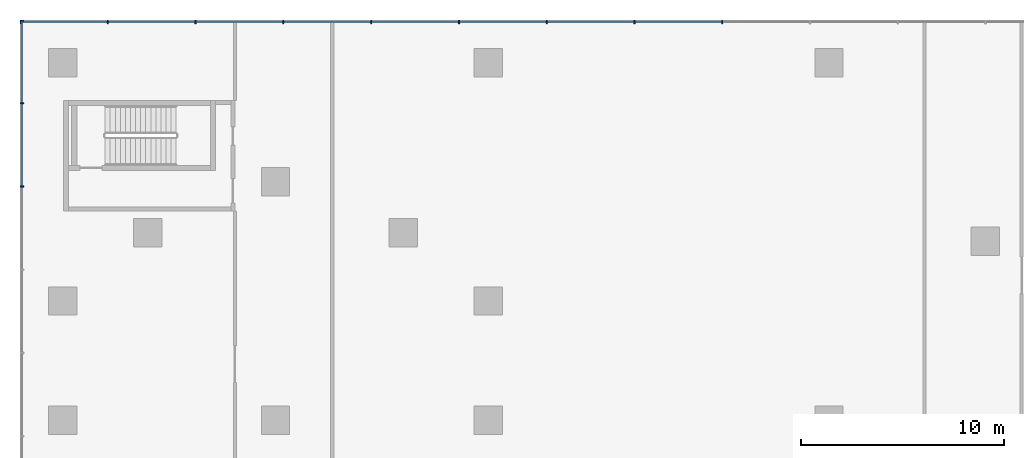
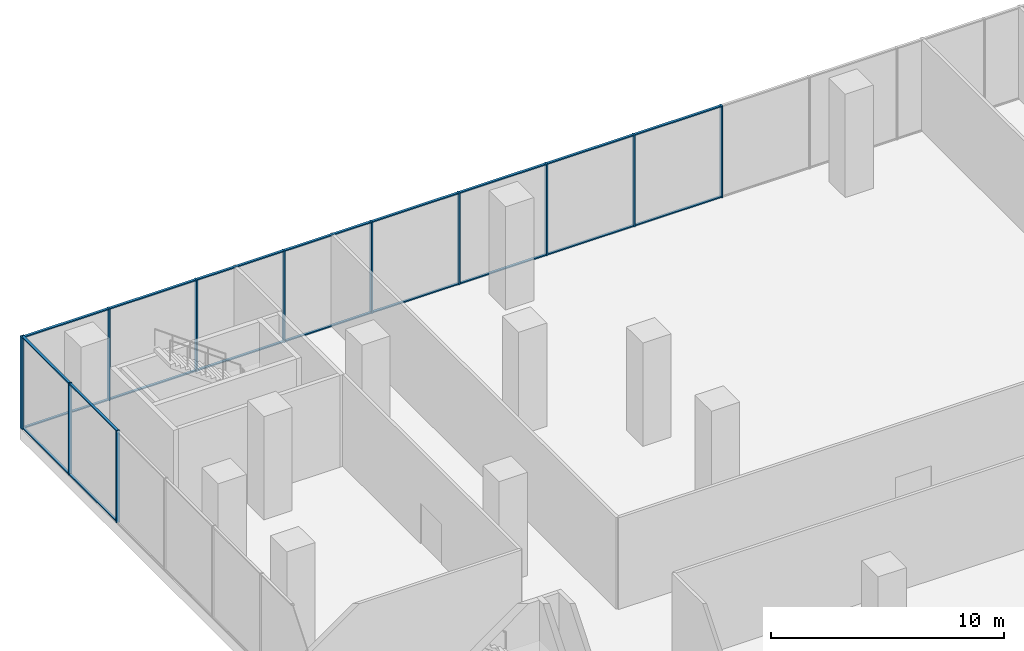
# One storey, part 10 of 23: 32 members, 2 elements without a shape of their own.
"""IFC4 building model written with IfcOpenShell, lengths in metres."""

from ifc_helpers import new_model, si_unit, direction, frame, origin, origin_2d, place, context, subcontext, project, spatial, rectangle, extrude, source, transform, mapped, material, layer, layer_set, material_profile, profile_set, type_object, element, aggregate, save


model = new_model("IFC4")

# Units and contexts
model_context = context("Model", 3, precision=1e-05, world=origin(), true_north=direction((0.0, 1.0)))
body_context = subcontext(model_context, "Body", "Model", "MODEL_VIEW")
ifc_project = project(units=[si_unit("LENGTHUNIT", "METRE"), si_unit("AREAUNIT", "SQUARE_METRE"), si_unit("VOLUMEUNIT", "CUBIC_METRE"), si_unit("PLANEANGLEUNIT", "RADIAN"), si_unit("MASSUNIT", "GRAM", prefix="KILO")], contexts=[model_context])

# Site, building, storey
site_placement = place(None, origin())
site = spatial("IfcSite", under=ifc_project, at=site_placement, CompositionType="ELEMENT")
building_placement = place(site_placement, origin())
building = spatial("IfcBuilding", under=site, at=building_placement, Name="Aurelian Terraces", CompositionType="ELEMENT")
storey_placement = place(building_placement, frame((0.0, 0.0, 23.7)))
storey = spatial("IfcBuildingStorey", under=building, at=storey_placement, Name="L04", CompositionType="ELEMENT", Elevation=23.7)

# Curtain wall, members
ifc_material_1 = material(Name="Anodised aluminium and clear glazing", Category="aluminium")
ifc_layer = layer(ifc_material_1, 0.2)
ifc_layer_set = layer_set([ifc_layer], Name="Winter garden glazing curtain wall")
curtain_wall_type = type_object("IfcCurtainWallType", Name="Winter garden glazing curtain wall", PredefinedType="NOTDEFINED", material=ifc_layer_set)
curtain_wall_1_placement = place(storey_placement, origin())
curtain_wall_1 = element("IfcCurtainWall", 1, at=curtain_wall_1_placement, inside=storey, type_object=curtain_wall_type, Name="Winter garden glazing L04 F05.1", PredefinedType="NOTDEFINED")
ifc_material_2 = material(Name="Anodised aluminium", Category="aluminium")
ifc_material_profile_1 = material_profile(ifc_material_2, rectangle(XDim=0.18, YDim=0.06, at=origin_2d()))
ifc_profile_set_1 = profile_set([ifc_material_profile_1], Name="Anodised aluminium")
member_type_1 = type_object("IfcMemberType", Name="Winter garden glazing mullion", PredefinedType="MULLION", material=ifc_profile_set_1)
shared_shape_1 = source(origin(), body_context, "Body", "SweptSolid", [
    extrude(rectangle(XDim=0.18, YDim=0.06, at=origin_2d()), origin(), (0.0, 0.0, 1.0), 4.8),
])
member_1_placement = place(storey_placement, frame((32.5338, 71.72, 0.0), z_axis=(0.0, 0.0, 1.0), x_axis=(0.0, -1.0, 0.0)))
member_1 = element("IfcMember", 2, at=member_1_placement, type_object=member_type_1, Name="CW6 mullion 6", PredefinedType="MULLION", context=body_context, shape_type="MappedRepresentation", body=[
    mapped(shared_shape_1, transform((0.0, 0.0, 0.0), scale=1.0)),
])
member_2_placement = place(storey_placement, frame((28.2046, 71.72, 0.0), z_axis=(0.0, 0.0, 1.0), x_axis=(0.0, -1.0, 0.0)))
member_2 = element("IfcMember", 3, at=member_2_placement, type_object=member_type_1, Name="CW6 mullion 7", PredefinedType="MULLION", context=body_context, shape_type="MappedRepresentation", body=[
    mapped(shared_shape_1, transform((0.0, 0.0, 0.0), scale=1.0)),
])
member_3_placement = place(storey_placement, frame((23.8754, 71.72, 0.0), z_axis=(0.0, 0.0, 1.0), x_axis=(0.0, -1.0, 0.0)))
member_3 = element("IfcMember", 4, at=member_3_placement, type_object=member_type_1, Name="CW6 mullion 8", PredefinedType="MULLION", context=body_context, shape_type="MappedRepresentation", body=[
    mapped(shared_shape_1, transform((0.0, 0.0, 0.0), scale=1.0)),
])
member_4_placement = place(storey_placement, frame((19.5462, 71.72, 0.0), z_axis=(0.0, 0.0, 1.0), x_axis=(0.0, -1.0, 0.0)))
member_4 = element("IfcMember", 5, at=member_4_placement, type_object=member_type_1, Name="CW6 mullion 9", PredefinedType="MULLION", context=body_context, shape_type="MappedRepresentation", body=[
    mapped(shared_shape_1, transform((0.0, 0.0, 0.0), scale=1.0)),
])
member_5_placement = place(storey_placement, frame((15.2169, 71.72, 0.0), z_axis=(0.0, 0.0, 1.0), x_axis=(0.0, -1.0, 0.0)))
member_5 = element("IfcMember", 6, at=member_5_placement, type_object=member_type_1, Name="CW6 mullion 10", PredefinedType="MULLION", context=body_context, shape_type="MappedRepresentation", body=[
    mapped(shared_shape_1, transform((0.0, 0.0, 0.0), scale=1.0)),
])
member_6_placement = place(storey_placement, frame((10.8877, 71.72, 0.0), z_axis=(0.0, 0.0, 1.0), x_axis=(0.0, -1.0, 0.0)))
member_6 = element("IfcMember", 7, at=member_6_placement, type_object=member_type_1, Name="CW6 mullion 11", PredefinedType="MULLION", context=body_context, shape_type="MappedRepresentation", body=[
    mapped(shared_shape_1, transform((0.0, 0.0, 0.0), scale=1.0)),
])
member_7_placement = place(storey_placement, frame((6.5585, 71.72, 0.0), z_axis=(0.0, 0.0, 1.0), x_axis=(0.0, -1.0, 0.0)))
member_7 = element("IfcMember", 8, at=member_7_placement, type_object=member_type_1, Name="CW6 mullion 12", PredefinedType="MULLION", context=body_context, shape_type="MappedRepresentation", body=[
    mapped(shared_shape_1, transform((0.0, 0.0, 0.0), scale=1.0)),
])
member_8_placement = place(storey_placement, frame((2.2292, 71.72, 0.0), z_axis=(0.0, 0.0, 1.0), x_axis=(0.0, -1.0, 0.0)))
member_8 = element("IfcMember", 9, at=member_8_placement, type_object=member_type_1, Name="CW6 mullion 13", PredefinedType="MULLION", context=body_context, shape_type="MappedRepresentation", body=[
    mapped(shared_shape_1, transform((0.0, 0.0, 0.0), scale=1.0)),
])
member_9_placement = place(storey_placement, frame((-2.07, 71.72, 0.0), z_axis=(0.0, 0.0, 1.0), x_axis=(0.0, -1.0, 0.0)))
member_9 = element("IfcMember", 10, at=member_9_placement, type_object=member_type_1, Name="CW6 mullion 14", PredefinedType="MULLION", context=body_context, shape_type="MappedRepresentation", body=[
    mapped(shared_shape_1, transform((0.0, 0.0, 0.0), scale=1.0)),
])

curtain_wall_2_placement = place(storey_placement, origin())
curtain_wall_2 = element("IfcCurtainWall", 11, at=curtain_wall_2_placement, inside=storey, type_object=curtain_wall_type, Name="Winter garden glazing L04 F06.1", PredefinedType="NOTDEFINED")
member_10_placement = place(storey_placement, frame((-2.0, 71.79, 0.0), z_axis=(0.0, 0.0, 1.0), x_axis=(1.0, 0.0, 0.0)))
member_10 = element("IfcMember", 12, at=member_10_placement, type_object=member_type_1, Name="CW6 mullion 1", PredefinedType="MULLION", context=body_context, shape_type="MappedRepresentation", body=[
    mapped(shared_shape_1, transform((0.0, 0.0, 0.0), scale=1.0)),
])
member_11_placement = place(storey_placement, frame((-2.0, 67.7133, 0.0), z_axis=(0.0, 0.0, 1.0), x_axis=(1.0, 0.0, 0.0)))
member_11 = element("IfcMember", 13, at=member_11_placement, type_object=member_type_1, Name="CW6 mullion 2", PredefinedType="MULLION", context=body_context, shape_type="MappedRepresentation", body=[
    mapped(shared_shape_1, transform((0.0, 0.0, 0.0), scale=1.0)),
])
member_12_placement = place(storey_placement, frame((-2.0, 63.6067, 0.0), z_axis=(0.0, 0.0, 1.0), x_axis=(1.0, 0.0, 0.0)))
member_12 = element("IfcMember", 14, at=member_12_placement, type_object=member_type_1, Name="CW6 mullion 3", PredefinedType="MULLION", context=body_context, shape_type="MappedRepresentation", body=[
    mapped(shared_shape_1, transform((0.0, 0.0, 0.0), scale=1.0)),
])

# Member
ifc_material_profile_2 = material_profile(ifc_material_2, rectangle(XDim=0.12, YDim=0.06, at=origin_2d()))
ifc_profile_set_2 = profile_set([ifc_material_profile_2], Name="Anodised aluminium")
member_type_2 = type_object("IfcMemberType", Name="Winter garden glazing transom", PredefinedType="USERDEFINED", material=ifc_profile_set_2)
shared_shape_2 = source(origin(), body_context, "Body", "SweptSolid", [
    extrude(rectangle(XDim=0.12, YDim=0.06, at=origin_2d()), origin(), (0.0, 0.0, 1.0), 4.2392),
])
member_13_placement = place(storey_placement, frame((2.1992, 71.72, 0.03), z_axis=(-1.0, 0.0, 0.0), x_axis=(0.0, -1.0, 0.0)))
member_13 = element("IfcMember", 15, at=member_13_placement, type_object=member_type_2, Name="CW6 transom 13.1", ObjectType="TRANSOM", PredefinedType="USERDEFINED", context=body_context, shape_type="MappedRepresentation", body=[
    mapped(shared_shape_2, transform((0.0, 0.0, 0.0), scale=1.0)),
])

member_14_placement = place(storey_placement, frame((2.1992, 71.72, 4.77), z_axis=(-1.0, 0.0, 0.0), x_axis=(0.0, -1.0, 0.0)))
member_14 = element("IfcMember", 16, at=member_14_placement, type_object=member_type_2, Name="CW6 transom 13.2", ObjectType="TRANSOM", PredefinedType="USERDEFINED", context=body_context, shape_type="MappedRepresentation", body=[
    mapped(shared_shape_2, transform((0.0, 0.0, 0.0), scale=1.0)),
])

shared_shape_3 = source(origin(), body_context, "Body", "SweptSolid", [
    extrude(rectangle(XDim=0.12, YDim=0.06, at=origin_2d()), origin(), (0.0, 0.0, 1.0), 4.2693),
])
member_15_placement = place(storey_placement, frame((19.5162, 71.72, 0.03), z_axis=(-1.0, 0.0, 0.0), x_axis=(0.0, -1.0, 0.0)))
member_15 = element("IfcMember", 17, at=member_15_placement, type_object=member_type_2, Name="CW6 transom 9.1", ObjectType="TRANSOM", PredefinedType="USERDEFINED", context=body_context, shape_type="MappedRepresentation", body=[
    mapped(shared_shape_3, transform((0.0, 0.0, 0.0), scale=1.0)),
])

member_16_placement = place(storey_placement, frame((19.5162, 71.72, 4.77), z_axis=(-1.0, 0.0, 0.0), x_axis=(0.0, -1.0, 0.0)))
member_16 = element("IfcMember", 18, at=member_16_placement, type_object=member_type_2, Name="CW6 transom 9.2", ObjectType="TRANSOM", PredefinedType="USERDEFINED", context=body_context, shape_type="MappedRepresentation", body=[
    mapped(shared_shape_3, transform((0.0, 0.0, 0.0), scale=1.0)),
])

member_17_placement = place(storey_placement, frame((6.5285, 71.72, 0.03), z_axis=(-1.0, 0.0, 0.0), x_axis=(0.0, -1.0, 0.0)))
member_17 = element("IfcMember", 19, at=member_17_placement, type_object=member_type_2, Name="CW6 transom 12.1", ObjectType="TRANSOM", PredefinedType="USERDEFINED", context=body_context, shape_type="MappedRepresentation", body=[
    mapped(shared_shape_3, transform((0.0, 0.0, 0.0), scale=1.0)),
])

member_18_placement = place(storey_placement, frame((6.5285, 71.72, 4.77), z_axis=(-1.0, 0.0, 0.0), x_axis=(0.0, -1.0, 0.0)))
member_18 = element("IfcMember", 20, at=member_18_placement, type_object=member_type_2, Name="CW6 transom 12.2", ObjectType="TRANSOM", PredefinedType="USERDEFINED", context=body_context, shape_type="MappedRepresentation", body=[
    mapped(shared_shape_3, transform((0.0, 0.0, 0.0), scale=1.0)),
])

shared_shape_4 = source(origin(), body_context, "Body", "SweptSolid", [
    extrude(rectangle(XDim=0.12, YDim=0.06, at=origin_2d()), origin(), (0.0, 0.0, 1.0), 4.2692),
])
member_19_placement = place(storey_placement, frame((32.5038, 71.72, 0.03), z_axis=(-1.0, 0.0, 0.0), x_axis=(0.0, -1.0, 0.0)))
member_19 = element("IfcMember", 21, at=member_19_placement, type_object=member_type_2, Name="CW6 transom 6.1", ObjectType="TRANSOM", PredefinedType="USERDEFINED", context=body_context, shape_type="MappedRepresentation", body=[
    mapped(shared_shape_4, transform((0.0, 0.0, 0.0), scale=1.0)),
])

member_20_placement = place(storey_placement, frame((32.5038, 71.72, 4.77), z_axis=(-1.0, 0.0, 0.0), x_axis=(0.0, -1.0, 0.0)))
member_20 = element("IfcMember", 22, at=member_20_placement, type_object=member_type_2, Name="CW6 transom 6.2", ObjectType="TRANSOM", PredefinedType="USERDEFINED", context=body_context, shape_type="MappedRepresentation", body=[
    mapped(shared_shape_4, transform((0.0, 0.0, 0.0), scale=1.0)),
])

member_21_placement = place(storey_placement, frame((28.1746, 71.72, 0.03), z_axis=(-1.0, 0.0, 0.0), x_axis=(0.0, -1.0, 0.0)))
member_21 = element("IfcMember", 23, at=member_21_placement, type_object=member_type_2, Name="CW6 transom 7.1", ObjectType="TRANSOM", PredefinedType="USERDEFINED", context=body_context, shape_type="MappedRepresentation", body=[
    mapped(shared_shape_4, transform((0.0, 0.0, 0.0), scale=1.0)),
])

member_22_placement = place(storey_placement, frame((28.1746, 71.72, 4.77), z_axis=(-1.0, 0.0, 0.0), x_axis=(0.0, -1.0, 0.0)))
member_22 = element("IfcMember", 24, at=member_22_placement, type_object=member_type_2, Name="CW6 transom 7.2", ObjectType="TRANSOM", PredefinedType="USERDEFINED", context=body_context, shape_type="MappedRepresentation", body=[
    mapped(shared_shape_4, transform((0.0, 0.0, 0.0), scale=1.0)),
])

member_23_placement = place(storey_placement, frame((23.8454, 71.72, 0.03), z_axis=(-1.0, 0.0, 0.0), x_axis=(0.0, -1.0, 0.0)))
member_23 = element("IfcMember", 25, at=member_23_placement, type_object=member_type_2, Name="CW6 transom 8.1", ObjectType="TRANSOM", PredefinedType="USERDEFINED", context=body_context, shape_type="MappedRepresentation", body=[
    mapped(shared_shape_4, transform((0.0, 0.0, 0.0), scale=1.0)),
])

member_24_placement = place(storey_placement, frame((23.8454, 71.72, 4.77), z_axis=(-1.0, 0.0, 0.0), x_axis=(0.0, -1.0, 0.0)))
member_24 = element("IfcMember", 26, at=member_24_placement, type_object=member_type_2, Name="CW6 transom 8.2", ObjectType="TRANSOM", PredefinedType="USERDEFINED", context=body_context, shape_type="MappedRepresentation", body=[
    mapped(shared_shape_4, transform((0.0, 0.0, 0.0), scale=1.0)),
])

member_25_placement = place(storey_placement, frame((15.1869, 71.72, 0.03), z_axis=(-1.0, 0.0, 0.0), x_axis=(0.0, -1.0, 0.0)))
member_25 = element("IfcMember", 27, at=member_25_placement, type_object=member_type_2, Name="CW6 transom 10.1", ObjectType="TRANSOM", PredefinedType="USERDEFINED", context=body_context, shape_type="MappedRepresentation", body=[
    mapped(shared_shape_4, transform((0.0, 0.0, 0.0), scale=1.0)),
])

member_26_placement = place(storey_placement, frame((15.1869, 71.72, 4.77), z_axis=(-1.0, 0.0, 0.0), x_axis=(0.0, -1.0, 0.0)))
member_26 = element("IfcMember", 28, at=member_26_placement, type_object=member_type_2, Name="CW6 transom 10.2", ObjectType="TRANSOM", PredefinedType="USERDEFINED", context=body_context, shape_type="MappedRepresentation", body=[
    mapped(shared_shape_4, transform((0.0, 0.0, 0.0), scale=1.0)),
])

member_27_placement = place(storey_placement, frame((10.8577, 71.72, 0.03), z_axis=(-1.0, 0.0, 0.0), x_axis=(0.0, -1.0, 0.0)))
member_27 = element("IfcMember", 29, at=member_27_placement, type_object=member_type_2, Name="CW6 transom 11.1", ObjectType="TRANSOM", PredefinedType="USERDEFINED", context=body_context, shape_type="MappedRepresentation", body=[
    mapped(shared_shape_4, transform((0.0, 0.0, 0.0), scale=1.0)),
])

member_28_placement = place(storey_placement, frame((10.8577, 71.72, 4.77), z_axis=(-1.0, 0.0, 0.0), x_axis=(0.0, -1.0, 0.0)))
member_28 = element("IfcMember", 30, at=member_28_placement, type_object=member_type_2, Name="CW6 transom 11.2", ObjectType="TRANSOM", PredefinedType="USERDEFINED", context=body_context, shape_type="MappedRepresentation", body=[
    mapped(shared_shape_4, transform((0.0, 0.0, 0.0), scale=1.0)),
])

aggregate(curtain_wall_1, [member_1, member_2, member_3, member_4, member_5, member_6, member_7, member_8, member_9, member_19, member_20, member_21, member_22, member_23, member_24, member_15, member_16, member_25, member_26, member_27, member_28, member_17, member_18, member_13, member_14])

shared_shape_5 = source(origin(), body_context, "Body", "SweptSolid", [
    extrude(rectangle(XDim=0.12, YDim=0.06, at=origin_2d()), origin(), (0.0, 0.0, 1.0), 4.0167),
])
member_29_placement = place(storey_placement, frame((-2.0, 71.76, 0.03), z_axis=(0.0, -1.0, 0.0), x_axis=(1.0, 0.0, 0.0)))
member_29 = element("IfcMember", 31, at=member_29_placement, type_object=member_type_2, Name="CW6 transom 1.1", ObjectType="TRANSOM", PredefinedType="USERDEFINED", context=body_context, shape_type="MappedRepresentation", body=[
    mapped(shared_shape_5, transform((0.0, 0.0, 0.0), scale=1.0)),
])

member_30_placement = place(storey_placement, frame((-2.0, 71.76, 4.77), z_axis=(0.0, -1.0, 0.0), x_axis=(1.0, 0.0, 0.0)))
member_30 = element("IfcMember", 32, at=member_30_placement, type_object=member_type_2, Name="CW6 transom 1.2", ObjectType="TRANSOM", PredefinedType="USERDEFINED", context=body_context, shape_type="MappedRepresentation", body=[
    mapped(shared_shape_5, transform((0.0, 0.0, 0.0), scale=1.0)),
])

shared_shape_6 = source(origin(), body_context, "Body", "SweptSolid", [
    extrude(rectangle(XDim=0.12, YDim=0.06, at=origin_2d()), origin(), (0.0, 0.0, 1.0), 4.0466),
])
member_31_placement = place(storey_placement, frame((-2.0, 67.6833, 0.03), z_axis=(0.0, -1.0, 0.0), x_axis=(1.0, 0.0, 0.0)))
member_31 = element("IfcMember", 33, at=member_31_placement, type_object=member_type_2, Name="CW6 transom 2.1", ObjectType="TRANSOM", PredefinedType="USERDEFINED", context=body_context, shape_type="MappedRepresentation", body=[
    mapped(shared_shape_6, transform((0.0, 0.0, 0.0), scale=1.0)),
])

member_32_placement = place(storey_placement, frame((-2.0, 67.6833, 4.77), z_axis=(0.0, -1.0, 0.0), x_axis=(1.0, 0.0, 0.0)))
member_32 = element("IfcMember", 34, at=member_32_placement, type_object=member_type_2, Name="CW6 transom 2.2", ObjectType="TRANSOM", PredefinedType="USERDEFINED", context=body_context, shape_type="MappedRepresentation", body=[
    mapped(shared_shape_6, transform((0.0, 0.0, 0.0), scale=1.0)),
])

aggregate(curtain_wall_2, [member_10, member_11, member_12, member_29, member_30, member_31, member_32])

save(model, "model.ifc")
